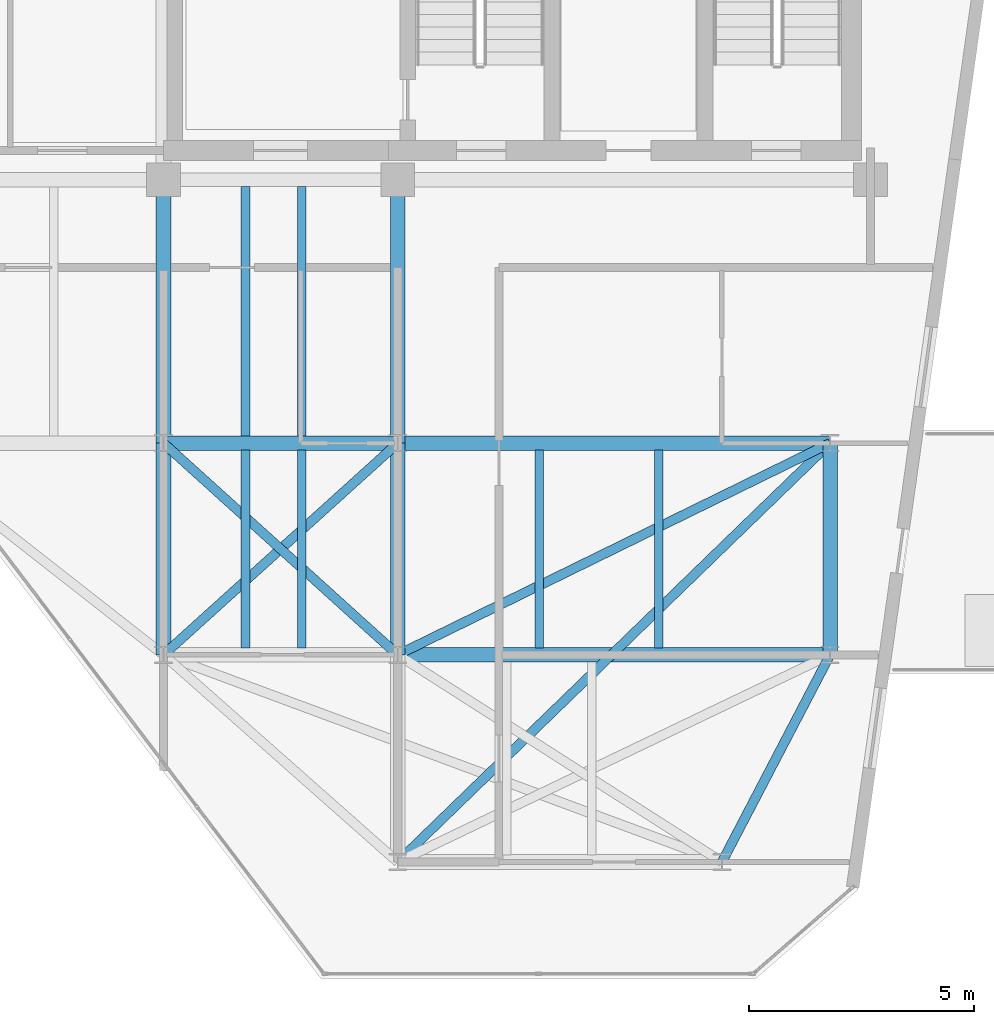
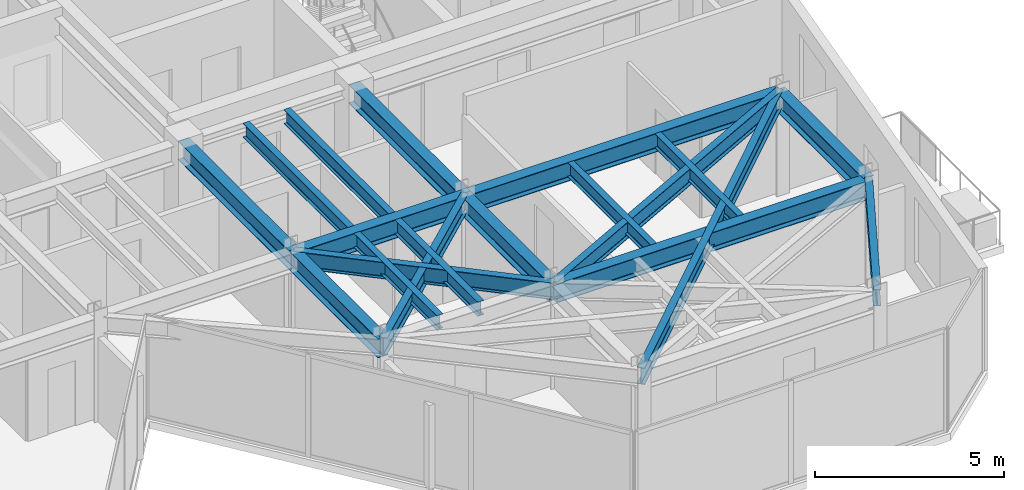
# One storey, part 10 of 16: 19 beams.
"""IFC4 building model written with IfcOpenShell, lengths in metres."""

from ifc_helpers import new_model, si_unit, direction, frame, origin, origin_2d, place, context, subcontext, project, spatial, i_section, extrude, material, material_profile, profile_set, type_object, element, save


model = new_model("IFC4")

# Units and contexts
model_context = context("Model", 3, precision=1e-05, world=origin(), true_north=direction((0.0, 1.0)))
body_context = subcontext(model_context, "Body", "Model", "MODEL_VIEW")
ifc_project = project(units=[si_unit("LENGTHUNIT", "METRE"), si_unit("AREAUNIT", "SQUARE_METRE"), si_unit("VOLUMEUNIT", "CUBIC_METRE"), si_unit("PLANEANGLEUNIT", "RADIAN"), si_unit("MASSUNIT", "GRAM", prefix="KILO")], contexts=[model_context])

# Site, building, storey
site_placement = place(None, origin())
site = spatial("IfcSite", under=ifc_project, at=site_placement, CompositionType="ELEMENT")
building_placement = place(site_placement, origin())
building = spatial("IfcBuilding", under=site, at=building_placement, Name="Kravanh Interchange Tower", CompositionType="ELEMENT")
storey_placement = place(building_placement, frame((0.0, 0.0, 307.5)))
storey = spatial("IfcBuildingStorey", under=building, at=storey_placement, Name="L76", CompositionType="ELEMENT", Elevation=307.5)

# Beams
ifc_material_1 = material(Name="Structural Steel S355", Category="steel")
ifc_material_profile_1 = material_profile(ifc_material_1, i_section(OverallWidth=0.323974609375, OverallDepth=0.611083984375, WebThickness=0.0126953125, FlangeThickness=0.01904296875, FilletRadius=0.02197265625, at=origin_2d()), Name="W24X104")
ifc_profile_set_1 = profile_set([ifc_material_profile_1], Name="Structural Steel S355")
beam_type_1 = type_object("IfcBeamType", Name="Floor Beam W24X104 Structural Steel S355", PredefinedType="BEAM", material=ifc_profile_set_1)
beam_1_placement = place(storey_placement, frame((50.800048828125, 31.5, 3.014404296875), z_axis=(0.0, -1.0, 0.0), x_axis=(1.0, 0.0, 0.0)))
element("IfcBeam", 1, at=beam_1_placement, inside=storey, type_object=beam_type_1, Name="L76 Primary Floor Girder 5", PredefinedType="BEAM", context=body_context, shape_type="SweptSolid", body=[
    extrude(i_section(OverallWidth=0.323974609375, OverallDepth=0.611083984375, WebThickness=0.0126953125, FlangeThickness=0.01904296875, FilletRadius=0.02197265625, at=origin_2d()), origin(), (0.0, 0.0, 1.0), 4.699951171875),
])
beam_2_placement = place(storey_placement, frame((50.800048828125, 31.5, 3.014404296875), z_axis=(1.0, 0.0, 0.0), x_axis=(0.0, 1.0, 0.0)))
element("IfcBeam", 2, at=beam_2_placement, inside=storey, type_object=beam_type_1, Name="L76 Primary Floor Girder 6", PredefinedType="BEAM", context=body_context, shape_type="SweptSolid", body=[
    extrude(i_section(OverallWidth=0.323974609375, OverallDepth=0.611083984375, WebThickness=0.0126953125, FlangeThickness=0.01904296875, FilletRadius=0.02197265625, at=origin_2d()), origin(), (0.0, 0.0, 1.0), 5.199951171875),
])
beam_3_placement = place(storey_placement, frame((50.800048828125, 31.5, 3.014404296875), z_axis=(0.0, 1.0, 0.0), x_axis=(-1.0, 0.0, 0.0)))
element("IfcBeam", 3, at=beam_3_placement, inside=storey, type_object=beam_type_1, Name="L76 Primary Floor Girder 7", PredefinedType="BEAM", context=body_context, shape_type="SweptSolid", body=[
    extrude(i_section(OverallWidth=0.323974609375, OverallDepth=0.611083984375, WebThickness=0.0126953125, FlangeThickness=0.01904296875, FilletRadius=0.02197265625, at=origin_2d()), origin(), (0.0, 0.0, 1.0), 5.85009765625),
])
beam_4_placement = place(storey_placement, frame((56.0, 31.5, 3.014404296875), z_axis=(0.0, -1.0, 0.0), x_axis=(1.0, 0.0, 0.0)))
element("IfcBeam", 4, at=beam_4_placement, inside=storey, type_object=beam_type_1, Name="L76 Primary Floor Girder 9", PredefinedType="BEAM", context=body_context, shape_type="SweptSolid", body=[
    extrude(i_section(OverallWidth=0.323974609375, OverallDepth=0.611083984375, WebThickness=0.0126953125, FlangeThickness=0.01904296875, FilletRadius=0.02197265625, at=origin_2d()), origin(), (0.0, 0.0, 1.0), 4.699951171875),
])
beam_5_placement = place(storey_placement, frame((56.0, 31.5, 3.014404296875), z_axis=(0.0, 1.0, 0.0), x_axis=(-1.0, 0.0, 0.0)))
element("IfcBeam", 5, at=beam_5_placement, inside=storey, type_object=beam_type_1, Name="L76 Primary Floor Girder 10", PredefinedType="BEAM", context=body_context, shape_type="SweptSolid", body=[
    extrude(i_section(OverallWidth=0.323974609375, OverallDepth=0.611083984375, WebThickness=0.0126953125, FlangeThickness=0.01904296875, FilletRadius=0.02197265625, at=origin_2d()), origin(), (0.0, 0.0, 1.0), 5.85009765625),
])
beam_6_placement = place(storey_placement, frame((56.0, 31.5, 3.014404296875), z_axis=(1.0, 0.0, 0.0), x_axis=(0.0, 1.0, 0.0)))
element("IfcBeam", 6, at=beam_6_placement, inside=storey, type_object=beam_type_1, Name="L76 Primary Floor Girder 12", PredefinedType="BEAM", context=body_context, shape_type="SweptSolid", body=[
    extrude(i_section(OverallWidth=0.323974609375, OverallDepth=0.611083984375, WebThickness=0.0126953125, FlangeThickness=0.01904296875, FilletRadius=0.02197265625, at=origin_2d()), origin(), (0.0, 0.0, 1.0), 9.60009765625),
])
beam_7_placement = place(storey_placement, frame((65.60009765625, 31.5, 3.014404296875), z_axis=(0.0, -1.0, 0.0), x_axis=(1.0, 0.0, 0.0)))
element("IfcBeam", 7, at=beam_7_placement, inside=storey, type_object=beam_type_1, Name="L76 Primary Floor Girder 13", PredefinedType="BEAM", context=body_context, shape_type="SweptSolid", body=[
    extrude(i_section(OverallWidth=0.323974609375, OverallDepth=0.611083984375, WebThickness=0.0126953125, FlangeThickness=0.01904296875, FilletRadius=0.02197265625, at=origin_2d()), origin(), (0.0, 0.0, 1.0), 4.699951171875),
])
beam_8_placement = place(storey_placement, frame((56.0, 26.800048828125, 3.014404296875), z_axis=(1.0, 0.0, 0.0), x_axis=(0.0, 1.0, 0.0)))
element("IfcBeam", 8, at=beam_8_placement, inside=storey, type_object=beam_type_1, Name="L76 Primary Floor Girder 24", PredefinedType="BEAM", context=body_context, shape_type="SweptSolid", body=[
    extrude(i_section(OverallWidth=0.323974609375, OverallDepth=0.611083984375, WebThickness=0.0126953125, FlangeThickness=0.01904296875, FilletRadius=0.02197265625, at=origin_2d()), origin(), (0.0, 0.0, 1.0), 9.60009765625),
])
ifc_material_2 = material(Name="Structural Steel S355", Category="steel")
ifc_material_profile_2 = material_profile(ifc_material_2, i_section(OverallWidth=0.18994140625, OverallDepth=0.45703125, WebThickness=0.009033203125, FlangeThickness=0.014404296875, FilletRadius=0.01806640625, at=origin_2d()), Name="W18X50")
ifc_profile_set_2 = profile_set([ifc_material_profile_2], Name="Structural Steel S355")
beam_type_2 = type_object("IfcBeamType", Name="Floor Joist W18X50 Structural Steel S355", PredefinedType="JOIST", material=ifc_profile_set_2)
for number, where, z_axis, x_axis, name in (
    (9, (52.6201171875, 26.95703125, 3.091552734375), (0.0, 1.0, 0.0), (-1.0, 0.0, 0.0), "L76 Secondary Floor Joist 3"),
    (10, (53.867919921875, 26.95703125, 3.091552734375), (0.0, 1.0, 0.0), (-1.0, 0.0, 0.0), "L76 Secondary Floor Joist 4"),
    (11, (59.139892578125, 26.95703125, 3.091552734375), (0.0, 1.0, 0.0), (-1.0, 0.0, 0.0), "L76 Secondary Floor Joist 5"),
    (12, (61.7958984375, 26.95703125, 3.091552734375), (0.0, 1.0, 0.0), (-1.0, 0.0, 0.0), "L76 Secondary Floor Joist 6"),
):
    element("IfcBeam", number, at=place(storey_placement, frame(where, z_axis=z_axis, x_axis=x_axis)), inside=storey, type_object=beam_type_2, Name=name, PredefinedType="JOIST", context=body_context, shape_type="SweptSolid", body=[
        extrude(i_section(OverallWidth=0.18994140625, OverallDepth=0.45703125, WebThickness=0.009033203125, FlangeThickness=0.014404296875, FilletRadius=0.01806640625, at=origin_2d()), origin(), (0.0, 0.0, 1.0), 4.385986328125),
    ])
for number, where, z_axis, x_axis, name in (
    (13, (52.6201171875, 31.656982421875, 3.091552734375), (0.0, 1.0, 0.0), (-1.0, 0.0, 0.0), "L76 Secondary Floor Joist 11"),
    (14, (53.867919921875, 31.656982421875, 3.091552734375), (0.0, 1.0, 0.0), (-1.0, 0.0, 0.0), "L76 Secondary Floor Joist 12"),
):
    element("IfcBeam", number, at=place(storey_placement, frame(where, z_axis=z_axis, x_axis=x_axis)), inside=storey, type_object=beam_type_2, Name=name, PredefinedType="JOIST", context=body_context, shape_type="SweptSolid", body=[
        extrude(i_section(OverallWidth=0.18994140625, OverallDepth=0.45703125, WebThickness=0.009033203125, FlangeThickness=0.014404296875, FilletRadius=0.01806640625, at=origin_2d()), origin(), (0.0, 0.0, 1.0), 5.54541015625),
    ])
ifc_material_3 = material(Name="Structural Steel S355", Category="steel")
ifc_material_profile_3 = material_profile(ifc_material_3, i_section(OverallWidth=0.2099609375, OverallDepth=0.537109375, WebThickness=0.010986328125, FlangeThickness=0.017333984375, FilletRadius=0.02001953125, at=origin_2d()), Name="W21X68")
ifc_profile_set_3 = profile_set([ifc_material_profile_3], Name="Structural Steel S355")
beam_type_3 = type_object("IfcBeamType", Name="Floor Spandrel W21X68 Structural Steel S355", PredefinedType="SPANDREL", material=ifc_profile_set_3)
for number, where, z_axis, x_axis, name in (
    (15, (50.800048828125, 31.5, 3.051513671875), (0.741874009795, -0.670539300557, 0.0), (0.670539300557, 0.741874009795, 0.0), "L76 Perimeter Spandrel 8"),
    (16, (56.0, 31.5, 3.051513671875), (-0.741874009795, -0.670539300557, 0.0), (0.670539300557, -0.741874009795, 0.0), "L76 Perimeter Spandrel 11"),
):
    element("IfcBeam", number, at=place(storey_placement, frame(where, z_axis=z_axis, x_axis=x_axis)), inside=storey, type_object=beam_type_3, Name=name, PredefinedType="SPANDREL", context=body_context, shape_type="SweptSolid", body=[
        extrude(i_section(OverallWidth=0.2099609375, OverallDepth=0.537109375, WebThickness=0.010986328125, FlangeThickness=0.017333984375, FilletRadius=0.02001953125, at=origin_2d()), origin(), (0.0, 0.0, 1.0), 7.00927734375),
    ])
beam_9_placement = place(storey_placement, frame((65.60009765625, 31.5, 3.051513671875), z_axis=(-0.898141688387, -0.439706160499, 0.0), x_axis=(0.439706160499, -0.898141688387, 0.0)))
element("IfcBeam", 17, at=beam_9_placement, inside=storey, type_object=beam_type_3, Name="L76 Perimeter Spandrel 15", PredefinedType="SPANDREL", context=body_context, shape_type="SweptSolid", body=[
    extrude(i_section(OverallWidth=0.2099609375, OverallDepth=0.537109375, WebThickness=0.010986328125, FlangeThickness=0.017333984375, FilletRadius=0.02001953125, at=origin_2d()), origin(), (0.0, 0.0, 1.0), 10.68896484375),
])
beam_10_placement = place(storey_placement, frame((65.60009765625, 31.5, 3.051513671875), z_axis=(-0.718241934329, -0.695793449072, 0.0), x_axis=(0.695793449072, -0.718241934329, 0.0)))
element("IfcBeam", 18, at=beam_10_placement, inside=storey, type_object=beam_type_3, Name="L76 Perimeter Spandrel 16", PredefinedType="SPANDREL", context=body_context, shape_type="SweptSolid", body=[
    extrude(i_section(OverallWidth=0.2099609375, OverallDepth=0.537109375, WebThickness=0.010986328125, FlangeThickness=0.017333984375, FilletRadius=0.02001953125, at=origin_2d()), origin(), (0.0, 0.0, 1.0), 13.3662109375),
])
beam_11_placement = place(storey_placement, frame((65.60009765625, 26.800048828125, 3.051513671875), z_axis=(-0.462580479178, -0.886577295155, 0.0), x_axis=(0.886577295155, -0.462580479178, 0.0)))
element("IfcBeam", 19, at=beam_11_placement, inside=storey, type_object=beam_type_3, Name="L76 Perimeter Spandrel 25", PredefinedType="SPANDREL", context=body_context, shape_type="SweptSolid", body=[
    extrude(i_section(OverallWidth=0.2099609375, OverallDepth=0.537109375, WebThickness=0.010986328125, FlangeThickness=0.017333984375, FilletRadius=0.02001953125, at=origin_2d()), origin(), (0.0, 0.0, 1.0), 5.188720703125),
])

save(model, "model.ifc")
